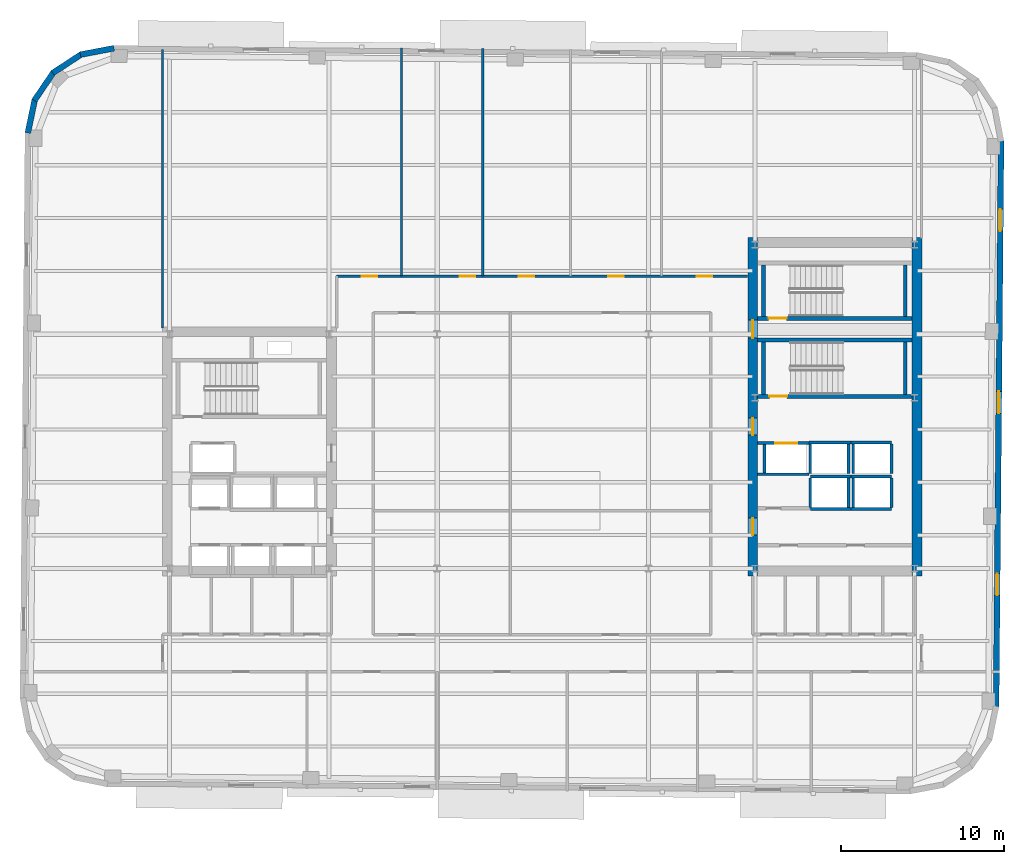
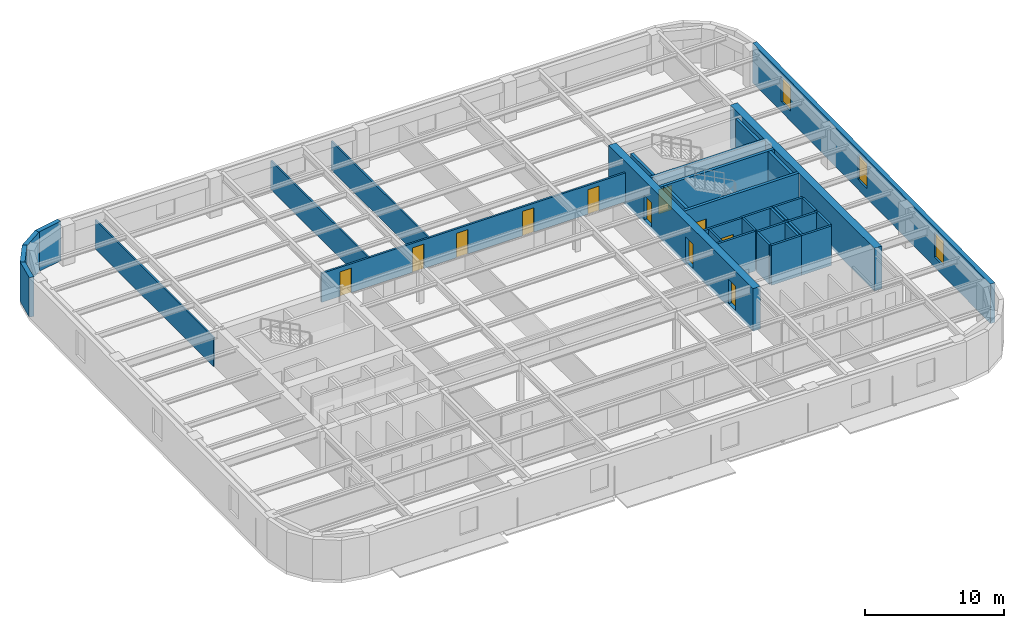
# One storey, part 6 of 11: 35 walls, 11 doors, 3 windows, 14 openings.
"""IFC4 building model written with IfcOpenShell, lengths in metres."""

from ifc_helpers import new_model, si_unit, direction, frame, frame_2d, origin, place, context, subcontext, project, spatial, rectangle, extrude, material, layer, layer_set, type_object, element, fill, save


model = new_model("IFC4")

# Units and contexts
model_context = context("Model", 3, precision=1e-05, world=origin(), true_north=direction((0.0, 1.0)))
body_context = subcontext(model_context, "Body", "Model", "MODEL_VIEW")
ifc_project = project(units=[si_unit("LENGTHUNIT", "METRE"), si_unit("AREAUNIT", "SQUARE_METRE"), si_unit("VOLUMEUNIT", "CUBIC_METRE"), si_unit("PLANEANGLEUNIT", "RADIAN"), si_unit("MASSUNIT", "GRAM", prefix="KILO")], contexts=[model_context])

# Site, building, storey
site_placement = place(None, origin())
site = spatial("IfcSite", under=ifc_project, at=site_placement, CompositionType="ELEMENT")
building_placement = place(site_placement, origin())
building = spatial("IfcBuilding", under=site, at=building_placement, Name="Kolvaren Arena Tower", CompositionType="ELEMENT")
storey_placement = place(building_placement, frame((0.0, 0.0, 162.199951171875)))
storey = spatial("IfcBuildingStorey", under=building, at=storey_placement, Name="L38", CompositionType="ELEMENT", Elevation=162.199951171875)

# Wall, openings, doors
ifc_material_1 = material(Name="Gypsum board acoustic assembly", Category="gypsum")
ifc_layer_1 = layer(ifc_material_1, 0.159912109375)
ifc_layer_set_1 = layer_set([ifc_layer_1], Name="Gypsum board acoustic assembly")
wall_type_1 = type_object("IfcWallType", Name="CORR-160", PredefinedType="PARTITIONING", material=ifc_layer_set_1)
wall_1_placement = place(storey_placement, frame((24.820068359375, 37.419921875, 0.0), z_axis=(0.0, 0.0, 1.0), x_axis=(1.0, 0.0, 0.0)))
wall_1 = element("IfcWall", 1, at=wall_1_placement, inside=storey, type_object=wall_type_1, Name="Interior Partition Wall (L38)", PredefinedType="PARTITIONING", context=body_context, shape_type="SweptSolid", body=[
    extrude(rectangle(XDim=25.260009765625, YDim=0.159912109375, at=frame_2d((12.6298828125, 0.0))), origin(), (0.0, 0.0, 1.0), 2.5400390625),
])
opening_1_placement = place(wall_1_placement, frame((1.530029296875, 0.0, 0.0)))
opening_1 = element("IfcOpeningElement", 2, at=opening_1_placement, cuts=wall_1, Name="Opening D05", PredefinedType="OPENING", context=body_context, shape_type="SweptSolid", body=[
    extrude(rectangle(XDim=0.949951171875, YDim=2.14990234375, at=frame_2d((0.47509765625, 1.074951171875))), frame((0.0, 0.08984375, 0.0), z_axis=(0.0, -1.0, 0.0), x_axis=(1.0, 0.0, 0.0)), (0.0, 0.0, 1.0), 0.179931640625),
])
opening_2_placement = place(wall_1_placement, frame((7.554931640625, 0.0, 0.0)))
opening_2 = element("IfcOpeningElement", 3, at=opening_2_placement, cuts=wall_1, Name="Opening D05", PredefinedType="OPENING", context=body_context, shape_type="SweptSolid", body=[
    extrude(rectangle(XDim=0.949951171875, YDim=2.14990234375, at=frame_2d((0.47509765625, 1.074951171875))), frame((0.0, 0.08984375, 0.0), z_axis=(0.0, -1.0, 0.0), x_axis=(1.0, 0.0, 0.0)), (0.0, 0.0, 1.0), 0.179931640625),
])
opening_3_placement = place(wall_1_placement, frame((11.205078125, 0.0, 0.0)))
opening_3 = element("IfcOpeningElement", 4, at=opening_3_placement, cuts=wall_1, Name="Opening D05", PredefinedType="OPENING", context=body_context, shape_type="SweptSolid", body=[
    extrude(rectangle(XDim=0.949951171875, YDim=2.14990234375, at=frame_2d((0.47509765625, 1.074951171875))), frame((0.0, 0.08984375, 0.0), z_axis=(0.0, -1.0, 0.0), x_axis=(1.0, 0.0, 0.0)), (0.0, 0.0, 1.0), 0.179931640625),
])
opening_4_placement = place(wall_1_placement, frame((16.705078125, 0.0, 0.0)))
opening_4 = element("IfcOpeningElement", 5, at=opening_4_placement, cuts=wall_1, Name="Opening D05", PredefinedType="OPENING", context=body_context, shape_type="SweptSolid", body=[
    extrude(rectangle(XDim=0.949951171875, YDim=2.14990234375, at=frame_2d((0.47509765625, 1.074951171875))), frame((0.0, 0.08984375, 0.0), z_axis=(0.0, -1.0, 0.0), x_axis=(1.0, 0.0, 0.0)), (0.0, 0.0, 1.0), 0.179931640625),
])
opening_5_placement = place(wall_1_placement, frame((22.1298828125, 0.0, 0.0)))
opening_5 = element("IfcOpeningElement", 6, at=opening_5_placement, cuts=wall_1, Name="Opening D05", PredefinedType="OPENING", context=body_context, shape_type="SweptSolid", body=[
    extrude(rectangle(XDim=0.949951171875, YDim=2.14990234375, at=frame_2d((0.47509765625, 1.074951171875))), frame((0.0, 0.08984375, 0.0), z_axis=(0.0, -1.0, 0.0), x_axis=(1.0, 0.0, 0.0)), (0.0, 0.0, 1.0), 0.179931640625),
])
ifc_material_2 = material(Name="Solid-core oak acoustic office door", Category="wood")
door_type_1 = type_object("IfcDoorType", Name="DOOR-OF-095", OperationType="NOTDEFINED", PredefinedType="DOOR", material=ifc_material_2)
door_1_placement = place(opening_1_placement, origin())
door_1 = element("IfcDoor", 7, at=door_1_placement, inside=storey, type_object=door_type_1, Name="Wellness Room Door (L38)", OperationType="SINGLE_SWING_RIGHT", OverallHeight=2.14990234375, OverallWidth=0.949951171875, PredefinedType="DOOR", context=body_context, shape_type="SweptSolid", body=[
    extrude(rectangle(XDim=0.949951171875, YDim=2.14990234375, at=frame_2d((0.47509765625, 1.074951171875))), frame((0.0, 0.02490234375, 0.0), z_axis=(0.0, -1.0, 0.0), x_axis=(1.0, 0.0, 0.0)), (0.0, 0.0, 1.0), 0.050048828125),
])
fill(opening_1, door_1)
door_2_placement = place(opening_2_placement, origin())
door_2 = element("IfcDoor", 8, at=door_2_placement, inside=storey, type_object=door_type_1, Name="Client Lounge Door (L38)", OperationType="SINGLE_SWING_LEFT", OverallHeight=2.14990234375, OverallWidth=0.949951171875, PredefinedType="DOOR", context=body_context, shape_type="SweptSolid", body=[
    extrude(rectangle(XDim=0.949951171875, YDim=2.14990234375, at=frame_2d((0.47509765625, 1.074951171875))), frame((0.0, 0.02490234375, 0.0), z_axis=(0.0, -1.0, 0.0), x_axis=(1.0, 0.0, 0.0)), (0.0, 0.0, 1.0), 0.050048828125),
])
fill(opening_2, door_2)
door_3_placement = place(opening_3_placement, origin())
door_3 = element("IfcDoor", 9, at=door_3_placement, inside=storey, type_object=door_type_1, Name="Executive Office Door (L38)", OperationType="SINGLE_SWING_RIGHT", OverallHeight=2.14990234375, OverallWidth=0.949951171875, PredefinedType="DOOR", context=body_context, shape_type="SweptSolid", body=[
    extrude(rectangle(XDim=0.949951171875, YDim=2.14990234375, at=frame_2d((0.47509765625, 1.074951171875))), frame((0.0, 0.02490234375, 0.0), z_axis=(0.0, -1.0, 0.0), x_axis=(1.0, 0.0, 0.0)), (0.0, 0.0, 1.0), 0.050048828125),
])
fill(opening_3, door_3)
door_4_placement = place(opening_4_placement, origin())
door_4 = element("IfcDoor", 10, at=door_4_placement, inside=storey, type_object=door_type_1, Name="Training Seminar Room Door (L38)", OperationType="SINGLE_SWING_LEFT", OverallHeight=2.14990234375, OverallWidth=0.949951171875, PredefinedType="DOOR", context=body_context, shape_type="SweptSolid", body=[
    extrude(rectangle(XDim=0.949951171875, YDim=2.14990234375, at=frame_2d((0.47509765625, 1.074951171875))), frame((0.0, 0.02490234375, 0.0), z_axis=(0.0, -1.0, 0.0), x_axis=(1.0, 0.0, 0.0)), (0.0, 0.0, 1.0), 0.050048828125),
])
fill(opening_4, door_4)
door_5_placement = place(opening_5_placement, origin())
door_5 = element("IfcDoor", 11, at=door_5_placement, inside=storey, type_object=door_type_1, Name="Boardroom Door (L38)", OperationType="SINGLE_SWING_RIGHT", OverallHeight=2.14990234375, OverallWidth=0.949951171875, PredefinedType="DOOR", context=body_context, shape_type="SweptSolid", body=[
    extrude(rectangle(XDim=0.949951171875, YDim=2.14990234375, at=frame_2d((0.47509765625, 1.074951171875))), frame((0.0, 0.02490234375, 0.0), z_axis=(0.0, -1.0, 0.0), x_axis=(1.0, 0.0, 0.0)), (0.0, 0.0, 1.0), 0.050048828125),
])
fill(opening_5, door_5)

ifc_material_3 = material(Name="Concrete 60 MPa", Category="concrete")
ifc_layer_2 = layer(ifc_material_3, 0.60009765625)
ifc_layer_set_2 = layer_set([ifc_layer_2], Name="Concrete 60 MPa")
wall_type_2 = type_object("IfcWallType", Name="CWALL-600", PredefinedType="SHEAR", material=ifc_layer_set_2)
wall_2_placement = place(storey_placement, frame((50.39990234375, 19.0, -0.27001953125), z_axis=(0.0, 0.0, 1.0), x_axis=(0.0, 1.0, 0.0)))
wall_2 = element("IfcWall", 12, at=wall_2_placement, inside=storey, type_object=wall_type_2, Name="Core Shear Wall EC-WEST (L38)", PredefinedType="SHEAR", context=body_context, shape_type="SweptSolid", body=[
    extrude(rectangle(XDim=20.800048828125, YDim=0.60009765625, at=frame_2d((10.39990234375, 0.0))), origin(), (0.0, 0.0, 1.0), 3.75),
])
opening_6_placement = place(wall_2_placement, frame((2.5, 0.0, 0.27001953125)))
opening_6 = element("IfcOpeningElement", 13, at=opening_6_placement, cuts=wall_2, Name="Opening D04", PredefinedType="OPENING", context=body_context, shape_type="SweptSolid", body=[
    extrude(rectangle(XDim=1.050048828125, YDim=2.14990234375, at=frame_2d((0.52490234375, 1.074951171875))), frame((0.0, 0.31005859375, 0.0), z_axis=(0.0, -1.0, 0.0), x_axis=(1.0, 0.0, 0.0)), (0.0, 0.0, 1.0), 0.6201171875),
])
opening_7_placement = place(wall_2_placement, frame((8.64990234375, 0.0, 0.27001953125)))
opening_7 = element("IfcOpeningElement", 14, at=opening_7_placement, cuts=wall_2, Name="Opening D04", PredefinedType="OPENING", context=body_context, shape_type="SweptSolid", body=[
    extrude(rectangle(XDim=1.050048828125, YDim=2.14990234375, at=frame_2d((0.52490234375, 1.074951171875))), frame((0.0, 0.31005859375, 0.0), z_axis=(0.0, -1.0, 0.0), x_axis=(1.0, 0.0, 0.0)), (0.0, 0.0, 1.0), 0.6201171875),
])
opening_8_placement = place(wall_2_placement, frame((14.6201171875, 0.0, 0.27001953125)))
opening_8 = element("IfcOpeningElement", 15, at=opening_8_placement, cuts=wall_2, Name="Opening D03", PredefinedType="OPENING", context=body_context, shape_type="SweptSolid", body=[
    extrude(rectangle(XDim=1.10009765625, YDim=2.14990234375, at=frame_2d((0.550048828125, 1.074951171875))), frame((0.0, 0.31005859375, 0.0), z_axis=(0.0, -1.0, 0.0), x_axis=(1.0, 0.0, 0.0)), (0.0, 0.0, 1.0), 0.6201171875),
])
ifc_material_4 = material(Name="Fire-rated steel lobby door", Category="steel")
door_type_2 = type_object("IfcDoorType", Name="DOOR-FF-105", OperationType="NOTDEFINED", PredefinedType="DOOR", material=ifc_material_4)
door_6_placement = place(opening_6_placement, origin())
door_6 = element("IfcDoor", 16, at=door_6_placement, inside=storey, type_object=door_type_2, Name="East Lift Lobby Fire Door (L38)", OperationType="SINGLE_SWING_RIGHT", OverallHeight=2.14990234375, OverallWidth=1.050048828125, PredefinedType="DOOR", context=body_context, shape_type="SweptSolid", body=[
    extrude(rectangle(XDim=1.050048828125, YDim=2.14990234375, at=frame_2d((0.52490234375, 1.074951171875))), frame((0.0, 0.02490234375, 0.0), z_axis=(0.0, -1.0, 0.0), x_axis=(1.0, 0.0, 0.0)), (0.0, 0.0, 1.0), 0.050048828125),
])
fill(opening_6, door_6)
door_7_placement = place(opening_7_placement, origin())
door_7 = element("IfcDoor", 17, at=door_7_placement, inside=storey, type_object=door_type_2, Name="East Firefighter Vestibule Door (L38)", OperationType="SINGLE_SWING_LEFT", OverallHeight=2.14990234375, OverallWidth=1.050048828125, PredefinedType="DOOR", context=body_context, shape_type="SweptSolid", body=[
    extrude(rectangle(XDim=1.050048828125, YDim=2.14990234375, at=frame_2d((0.52490234375, 1.074951171875))), frame((0.0, 0.02490234375, 0.0), z_axis=(0.0, -1.0, 0.0), x_axis=(1.0, 0.0, 0.0)), (0.0, 0.0, 1.0), 0.050048828125),
])
fill(opening_7, door_7)
ifc_material_5 = material(Name="Fire-rated steel exit stair door", Category="steel")
door_type_3 = type_object("IfcDoorType", Name="DOOR-ST-110", OperationType="NOTDEFINED", PredefinedType="DOOR", material=ifc_material_5)
door_8_placement = place(opening_8_placement, origin())
door_8 = element("IfcDoor", 18, at=door_8_placement, inside=storey, type_object=door_type_3, Name="Stair ST-E2 Vestibule Fire Door (L38)", OperationType="SINGLE_SWING_LEFT", OverallHeight=2.14990234375, OverallWidth=1.10009765625, PredefinedType="DOOR", context=body_context, shape_type="SweptSolid", body=[
    extrude(rectangle(XDim=1.10009765625, YDim=2.14990234375, at=frame_2d((0.550048828125, 1.074951171875))), frame((0.0, 0.02490234375, 0.0), z_axis=(0.0, -1.0, 0.0), x_axis=(1.0, 0.0, 0.0)), (0.0, 0.0, 1.0), 0.050048828125),
])
fill(opening_8, door_8)

# Wall
wall_3_placement = place(storey_placement, frame((60.5, 19.0, -0.27001953125), z_axis=(0.0, 0.0, 1.0), x_axis=(0.0, 1.0, 0.0)))
element("IfcWall", 19, at=wall_3_placement, inside=storey, type_object=wall_type_2, Name="Core Shear Wall EC-EAST (L38)", PredefinedType="SHEAR", context=body_context, shape_type="SweptSolid", body=[
    extrude(rectangle(XDim=20.800048828125, YDim=0.60009765625, at=frame_2d((10.39990234375, 0.0))), origin(), (0.0, 0.0, 1.0), 3.75),
])

# Wall, openings, windows
ifc_material_6 = material(Name="Precast concrete C50/60", Category="concrete")
ifc_layer_3 = layer(ifc_material_6, 0.360107421875)
ifc_layer_set_3 = layer_set([ifc_layer_3], Name="Precast concrete C50/60")
wall_type_3 = type_object("IfcWallType", Name="EXT-PIER2", PredefinedType="SOLIDWALL", material=ifc_layer_set_3)
wall_4_placement = place(storey_placement, frame((65.670654296875, 45.73828125, 0.0), z_axis=(0.0, 0.0, 1.0), x_axis=(-0.008727348535, -0.999961915969, 0.0)))
wall_4 = element("IfcWall", 20, at=wall_4_placement, inside=storey, type_object=wall_type_3, Name="Exterior Precast Masonry-Frame Wall (L38)", PredefinedType="SOLIDWALL", context=body_context, shape_type="SweptSolid", body=[
    extrude(rectangle(XDim=34.7998046875, YDim=0.360107421875, at=frame_2d((17.39990234375, 0.0))), origin(), (0.0, 0.0, 1.0), 3.47998046875),
])
opening_9_placement = place(wall_4_placement, frame((4.199951171875, 0.0, 0.8798828125)))
opening_9 = element("IfcOpeningElement", 21, at=opening_9_placement, cuts=wall_4, Name="Opening W04", PredefinedType="OPENING", context=body_context, shape_type="SweptSolid", body=[
    extrude(rectangle(XDim=1.35009765625, YDim=2.199951171875, at=frame_2d((0.675048828125, 1.10009765625))), frame((0.0, 0.18994140625, 0.0), z_axis=(0.0, -1.0, 0.0), x_axis=(1.0, 0.0, 0.0)), (0.0, 0.0, 1.0), 0.380126953125),
])
opening_10_placement = place(wall_4_placement, frame((15.39990234375, 0.0, 0.8798828125)))
opening_10 = element("IfcOpeningElement", 22, at=opening_10_placement, cuts=wall_4, Name="Opening W04", PredefinedType="OPENING", context=body_context, shape_type="SweptSolid", body=[
    extrude(rectangle(XDim=1.35009765625, YDim=2.199951171875, at=frame_2d((0.675048828125, 1.10009765625))), frame((0.0, 0.18994140625, 0.0), z_axis=(0.0, -1.0, 0.0), x_axis=(1.0, 0.0, 0.0)), (0.0, 0.0, 1.0), 0.380126953125),
])
opening_11_placement = place(wall_4_placement, frame((26.60009765625, 0.0, 0.8798828125)))
opening_11 = element("IfcOpeningElement", 23, at=opening_11_placement, cuts=wall_4, Name="Opening W04", PredefinedType="OPENING", context=body_context, shape_type="SweptSolid", body=[
    extrude(rectangle(XDim=1.35009765625, YDim=2.199951171875, at=frame_2d((0.675048828125, 1.10009765625))), frame((0.0, 0.18994140625, 0.0), z_axis=(0.0, -1.0, 0.0), x_axis=(1.0, 0.0, 0.0)), (0.0, 0.0, 1.0), 0.380126953125),
])
ifc_material_7 = material(Name="Triple-glazed curved-facet corner window", Category="glass")
window_type = type_object("IfcWindowType", Name="WIN-CRN-A", PartitioningType="SINGLE_PANEL", PredefinedType="WINDOW", material=ifc_material_7)
window_1_placement = place(opening_9_placement, origin())
window_1 = element("IfcWindow", 24, at=window_1_placement, inside=storey, type_object=window_type, Name="End-Wall Punched Window (L38)", OverallHeight=2.199951171875, OverallWidth=1.35009765625, PartitioningType="SINGLE_PANEL", PredefinedType="WINDOW", context=body_context, shape_type="SweptSolid", body=[
    extrude(rectangle(XDim=1.35009765625, YDim=2.199951171875, at=frame_2d((0.675048828125, 1.10009765625))), frame((0.0, 0.030029296875, 0.0), z_axis=(0.0, -1.0, 0.0), x_axis=(1.0, 0.0, 0.0)), (0.0, 0.0, 1.0), 0.06005859375),
])
fill(opening_9, window_1)
window_2_placement = place(opening_10_placement, origin())
window_2 = element("IfcWindow", 25, at=window_2_placement, inside=storey, type_object=window_type, Name="End-Wall Punched Window (L38)", OverallHeight=2.199951171875, OverallWidth=1.35009765625, PartitioningType="SINGLE_PANEL", PredefinedType="WINDOW", context=body_context, shape_type="SweptSolid", body=[
    extrude(rectangle(XDim=1.35009765625, YDim=2.199951171875, at=frame_2d((0.675048828125, 1.10009765625))), frame((0.0, 0.030029296875, 0.0), z_axis=(0.0, -1.0, 0.0), x_axis=(1.0, 0.0, 0.0)), (0.0, 0.0, 1.0), 0.06005859375),
])
fill(opening_10, window_2)
window_3_placement = place(opening_11_placement, origin())
window_3 = element("IfcWindow", 26, at=window_3_placement, inside=storey, type_object=window_type, Name="End-Wall Punched Window (L38)", OverallHeight=2.199951171875, OverallWidth=1.35009765625, PartitioningType="SINGLE_PANEL", PredefinedType="WINDOW", context=body_context, shape_type="SweptSolid", body=[
    extrude(rectangle(XDim=1.35009765625, YDim=2.199951171875, at=frame_2d((0.675048828125, 1.10009765625))), frame((0.0, 0.030029296875, 0.0), z_axis=(0.0, -1.0, 0.0), x_axis=(1.0, 0.0, 0.0)), (0.0, 0.0, 1.0), 0.06005859375),
])
fill(opening_11, window_3)

# Walls
wall_5_placement = place(storey_placement, frame((9.0634765625, 51.044921875, 0.0), z_axis=(0.0, 0.0, 1.0), x_axis=(0.982445905584, 0.186547695246, 0.0)))
element("IfcWall", 27, at=wall_5_placement, inside=storey, type_object=wall_type_3, Name="Exterior Precast Masonry-Frame Wall (L38)", PredefinedType="SOLIDWALL", context=body_context, shape_type="SweptSolid", body=[
    extrude(rectangle(XDim=2.107177734375, YDim=0.360107421875, at=frame_2d((1.0537109375, 0.0))), origin(), (0.0, 0.0, 1.0), 3.47998046875),
])
for number, where, z_axis, x_axis, name in (
    (28, (7.36669921875, 49.916015625, 0.0), (0.0, 0.0, 1.0), (0.836268756678, 0.548319766745, 0.0), "Exterior Precast Masonry-Frame Wall (L38)"),
    (29, (6.23095703125, 48.223388671875, 0.0), (0.0, 0.0, 1.0), (0.56277581689, 0.826609569219, 0.0), "Exterior Precast Masonry-Frame Wall (L38)"),
    (30, (5.8291015625, 46.225341796875, 0.0), (0.0, 0.0, 1.0), (0.203709000552, 0.979031482177, 0.0), "Exterior Precast Masonry-Frame Wall (L38)"),
):
    element("IfcWall", number, at=place(storey_placement, frame(where, z_axis=z_axis, x_axis=x_axis)), inside=storey, type_object=wall_type_3, Name=name, PredefinedType="SOLIDWALL", context=body_context, shape_type="SweptSolid", body=[
        extrude(rectangle(XDim=2.10693359375, YDim=0.360107421875, at=frame_2d((1.053466796875, 0.0))), origin(), (0.0, 0.0, 1.0), 3.47998046875),
    ])
ifc_material_8 = material(Name="Gypsum board partition assembly", Category="gypsum")
ifc_layer_4 = layer(ifc_material_8, 0.135009765625)
ifc_layer_set_4 = layer_set([ifc_layer_4], Name="Gypsum board partition assembly")
wall_type_4 = type_object("IfcWallType", Name="PART-135", PredefinedType="PARTITIONING", material=ifc_layer_set_4)
wall_6_placement = place(storey_placement, frame((28.800048828125, 37.419921875, 0.0), z_axis=(0.0, 0.0, 1.0), x_axis=(0.0, 1.0, 0.0)))
element("IfcWall", 31, at=wall_6_placement, inside=storey, type_object=wall_type_4, Name="Interior Partition Wall (L38)", PredefinedType="PARTITIONING", context=body_context, shape_type="SweptSolid", body=[
    extrude(rectangle(XDim=14.040283203125, YDim=0.135009765625, at=frame_2d((7.02001953125, 0.0))), origin(), (0.0, 0.0, 1.0), 2.5400390625),
])
wall_7_placement = place(storey_placement, frame((33.800048828125, 37.419921875, 0.0), z_axis=(0.0, 0.0, 1.0), x_axis=(0.0, 1.0, 0.0)))
element("IfcWall", 32, at=wall_7_placement, inside=storey, type_object=wall_type_4, Name="Interior Partition Wall (L38)", PredefinedType="PARTITIONING", context=body_context, shape_type="SweptSolid", body=[
    extrude(rectangle(XDim=13.99658203125, YDim=0.135009765625, at=frame_2d((6.998291015625, 0.0))), origin(), (0.0, 0.0, 1.0), 2.5400390625),
])
wall_8_placement = place(storey_placement, frame((14.1201171875, 34.25, 0.0), z_axis=(0.0, 0.0, 1.0), x_axis=(0.0, 1.0, 0.0)))
element("IfcWall", 33, at=wall_8_placement, inside=storey, type_object=wall_type_4, Name="Interior Partition Wall (L38)", PredefinedType="PARTITIONING", context=body_context, shape_type="SweptSolid", body=[
    extrude(rectangle(XDim=17.098388671875, YDim=0.135009765625, at=frame_2d((8.54931640625, 0.0))), origin(), (0.0, 0.0, 1.0), 2.5400390625),
])

# Wall, opening, door
ifc_material_9 = material(Name="Concrete 45 MPa", Category="concrete")
ifc_layer_5 = layer(ifc_material_9, 0.25)
ifc_layer_set_5 = layer_set([ifc_layer_5], Name="Concrete 45 MPa")
wall_type_5 = type_object("IfcWallType", Name="SHAFT-250", PredefinedType="SOLIDWALL", material=ifc_layer_set_5)
wall_9_placement = place(storey_placement, frame((60.199951171875, 30.030029296875, 0.0), z_axis=(0.0, 0.0, 1.0), x_axis=(-1.0, 0.0, 0.0)))
wall_9 = element("IfcWall", 34, at=wall_9_placement, inside=storey, type_object=wall_type_5, Name="Core Shaft Wall (L38)", PredefinedType="SOLIDWALL", context=body_context, shape_type="SweptSolid", body=[
    extrude(rectangle(XDim=9.5, YDim=0.239990234375, at=frame_2d((4.75, 0.0))), origin(), (0.0, 0.0, 1.0), 3.47998046875),
])
opening_12_placement = place(wall_9_placement, frame((7.679931640625, 0.0, 0.0)))
opening_12 = element("IfcOpeningElement", 35, at=opening_12_placement, cuts=wall_9, Name="Opening D03", PredefinedType="OPENING", context=body_context, shape_type="SweptSolid", body=[
    extrude(rectangle(XDim=1.10009765625, YDim=2.14990234375, at=frame_2d((0.550048828125, 1.074951171875))), frame((0.0, 0.1298828125, 0.0), z_axis=(0.0, -1.0, 0.0), x_axis=(1.0, 0.0, 0.0)), (0.0, 0.0, 1.0), 0.260009765625),
])
door_9_placement = place(opening_12_placement, origin())
door_9 = element("IfcDoor", 36, at=door_9_placement, inside=storey, type_object=door_type_3, Name="Stair ST-E1 Fire Door (L38)", OperationType="SINGLE_SWING_LEFT", OverallHeight=2.14990234375, OverallWidth=1.10009765625, PredefinedType="DOOR", context=body_context, shape_type="SweptSolid", body=[
    extrude(rectangle(XDim=1.10009765625, YDim=2.14990234375, at=frame_2d((0.550048828125, 1.074951171875))), frame((0.0, 0.02490234375, 0.0), z_axis=(0.0, -1.0, 0.0), x_axis=(1.0, 0.0, 0.0)), (0.0, 0.0, 1.0), 0.050048828125),
])
fill(opening_12, door_9)

# Walls
wall_10_placement = place(storey_placement, frame((50.699951171875, 33.5, 0.0), z_axis=(0.0, 0.0, 1.0), x_axis=(1.0, 0.0, 0.0)))
element("IfcWall", 37, at=wall_10_placement, inside=storey, type_object=wall_type_5, Name="Core Shaft Wall (L38)", PredefinedType="SOLIDWALL", context=body_context, shape_type="SweptSolid", body=[
    extrude(rectangle(XDim=9.5, YDim=0.239990234375, at=frame_2d((4.75, 0.0))), origin(), (0.0, 0.0, 1.0), 3.47998046875),
])
for number, where, z_axis, x_axis, name in (
    (38, (51.06005859375, 30.14990234375, 0.0), (0.0, 0.0, 1.0), (0.0, 1.0, 0.0), "Core Shaft Wall (L38)"),
    (39, (59.780029296875, 30.14990234375, 0.0), (0.0, 0.0, 1.0), (0.0, 1.0, 0.0), "Core Shaft Wall (L38)"),
):
    element("IfcWall", number, at=place(storey_placement, frame(where, z_axis=z_axis, x_axis=x_axis)), inside=storey, type_object=wall_type_5, Name=name, PredefinedType="SOLIDWALL", context=body_context, shape_type="SweptSolid", body=[
        extrude(rectangle(XDim=3.22998046875, YDim=0.239990234375, at=frame_2d((1.614990234375, 0.0))), origin(), (0.0, 0.0, 1.0), 3.47998046875),
    ])

# Wall, opening, door
wall_11_placement = place(storey_placement, frame((60.199951171875, 34.830078125, 0.0), z_axis=(0.0, 0.0, 1.0), x_axis=(-1.0, 0.0, 0.0)))
wall_11 = element("IfcWall", 40, at=wall_11_placement, inside=storey, type_object=wall_type_5, Name="Core Shaft Wall (L38)", PredefinedType="SOLIDWALL", context=body_context, shape_type="SweptSolid", body=[
    extrude(rectangle(XDim=9.5, YDim=0.239990234375, at=frame_2d((4.75, 0.0))), origin(), (0.0, 0.0, 1.0), 3.47998046875),
])
opening_13_placement = place(wall_11_placement, frame((7.719970703125, 0.0, 0.0)))
opening_13 = element("IfcOpeningElement", 41, at=opening_13_placement, cuts=wall_11, Name="Opening D03", PredefinedType="OPENING", context=body_context, shape_type="SweptSolid", body=[
    extrude(rectangle(XDim=1.10009765625, YDim=2.14990234375, at=frame_2d((0.550048828125, 1.074951171875))), frame((0.0, 0.1298828125, 0.0), z_axis=(0.0, -1.0, 0.0), x_axis=(1.0, 0.0, 0.0)), (0.0, 0.0, 1.0), 0.260009765625),
])
door_10_placement = place(opening_13_placement, origin())
door_10 = element("IfcDoor", 42, at=door_10_placement, inside=storey, type_object=door_type_3, Name="Stair ST-E2 Fire Door (L38)", OperationType="SINGLE_SWING_LEFT", OverallHeight=2.14990234375, OverallWidth=1.10009765625, PredefinedType="DOOR", context=body_context, shape_type="SweptSolid", body=[
    extrude(rectangle(XDim=1.10009765625, YDim=2.14990234375, at=frame_2d((0.550048828125, 1.074951171875))), frame((0.0, 0.02490234375, 0.0), z_axis=(0.0, -1.0, 0.0), x_axis=(1.0, 0.0, 0.0)), (0.0, 0.0, 1.0), 0.050048828125),
])
fill(opening_13, door_10)

# Walls
for number, where, z_axis, x_axis, name in (
    (43, (51.06005859375, 34.949951171875, 0.0), (0.0, 0.0, 1.0), (0.0, 1.0, 0.0), "Core Shaft Wall (L38)"),
    (44, (59.780029296875, 34.949951171875, 0.0), (0.0, 0.0, 1.0), (0.0, 1.0, 0.0), "Core Shaft Wall (L38)"),
):
    element("IfcWall", number, at=place(storey_placement, frame(where, z_axis=z_axis, x_axis=x_axis)), inside=storey, type_object=wall_type_5, Name=name, PredefinedType="SOLIDWALL", context=body_context, shape_type="SweptSolid", body=[
        extrude(rectangle(XDim=3.150146484375, YDim=0.239990234375, at=frame_2d((1.5751953125, 0.0))), origin(), (0.0, 0.0, 1.0), 3.47998046875),
    ])
for number, where, z_axis, x_axis, name in (
    (45, (53.93994140625, 25.10498046875, 0.0), (0.0, 0.0, 1.0), (1.0, 0.0, 0.0), "Core Shaft Wall (L38)"),
    (46, (53.93994140625, 23.094970703125, 0.0), (0.0, 0.0, 1.0), (1.0, 0.0, 0.0), "Core Shaft Wall (L38)"),
):
    element("IfcWall", number, at=place(storey_placement, frame(where, z_axis=z_axis, x_axis=x_axis)), inside=storey, type_object=wall_type_5, Name=name, PredefinedType="SOLIDWALL", context=body_context, shape_type="SweptSolid", body=[
        extrude(rectangle(XDim=2.5, YDim=0.179931640625, at=frame_2d((1.25, 0.0))), origin(), (0.0, 0.0, 1.0), 3.47998046875),
    ])
for number, where, z_axis, x_axis, name in (
    (47, (53.93994140625, 23.18505859375, 0.0), (0.0, 0.0, 1.0), (0.0, 1.0, 0.0), "Core Shaft Wall (L38)"),
    (48, (56.300048828125, 23.18505859375, 0.0), (0.0, 0.0, 1.0), (0.0, 1.0, 0.0), "Core Shaft Wall (L38)"),
):
    element("IfcWall", number, at=place(storey_placement, frame(where, z_axis=z_axis, x_axis=x_axis)), inside=storey, type_object=wall_type_5, Name=name, PredefinedType="SOLIDWALL", context=body_context, shape_type="SweptSolid", body=[
        extrude(rectangle(XDim=1.829833984375, YDim=0.179931640625, at=frame_2d((0.9150390625, 0.0))), origin(), (0.0, 0.0, 1.0), 3.47998046875),
    ])
for number, where, z_axis, x_axis, name in (
    (49, (56.43994140625, 25.10498046875, 0.0), (0.0, 0.0, 1.0), (1.0, 0.0, 0.0), "Core Shaft Wall (L38)"),
    (50, (56.43994140625, 23.094970703125, 0.0), (0.0, 0.0, 1.0), (1.0, 0.0, 0.0), "Core Shaft Wall (L38)"),
):
    element("IfcWall", number, at=place(storey_placement, frame(where, z_axis=z_axis, x_axis=x_axis)), inside=storey, type_object=wall_type_5, Name=name, PredefinedType="SOLIDWALL", context=body_context, shape_type="SweptSolid", body=[
        extrude(rectangle(XDim=2.5, YDim=0.179931640625, at=frame_2d((1.25, 0.0))), origin(), (0.0, 0.0, 1.0), 3.47998046875),
    ])
for number, where, z_axis, x_axis, name in (
    (51, (56.580078125, 23.18505859375, 0.0), (0.0, 0.0, 1.0), (0.0, 1.0, 0.0), "Core Shaft Wall (L38)"),
    (52, (58.93994140625, 23.18505859375, 0.0), (0.0, 0.0, 1.0), (0.0, 1.0, 0.0), "Core Shaft Wall (L38)"),
):
    element("IfcWall", number, at=place(storey_placement, frame(where, z_axis=z_axis, x_axis=x_axis)), inside=storey, type_object=wall_type_5, Name=name, PredefinedType="SOLIDWALL", context=body_context, shape_type="SweptSolid", body=[
        extrude(rectangle(XDim=1.829833984375, YDim=0.179931640625, at=frame_2d((0.9150390625, 0.0))), origin(), (0.0, 0.0, 1.0), 3.47998046875),
    ])
wall_12_placement = place(storey_placement, frame((53.864990234375, 27.205078125, 0.0), z_axis=(0.0, 0.0, 1.0), x_axis=(1.0, 0.0, 0.0)))
element("IfcWall", 53, at=wall_12_placement, inside=storey, type_object=wall_type_5, Name="Core Shaft Wall (L38)", PredefinedType="SOLIDWALL", context=body_context, shape_type="SweptSolid", body=[
    extrude(rectangle(XDim=2.574951171875, YDim=0.179931640625, at=frame_2d((1.28759765625, 0.0))), origin(), (0.0, 0.0, 1.0), 3.47998046875),
])
for number, where, z_axis, x_axis, name in (
    (54, (53.93994140625, 25.284912109375, 0.0), (0.0, 0.0, 1.0), (0.0, 1.0, 0.0), "Core Shaft Wall (L38)"),
    (55, (56.300048828125, 25.284912109375, 0.0), (0.0, 0.0, 1.0), (0.0, 1.0, 0.0), "Core Shaft Wall (L38)"),
):
    element("IfcWall", number, at=place(storey_placement, frame(where, z_axis=z_axis, x_axis=x_axis)), inside=storey, type_object=wall_type_5, Name=name, PredefinedType="SOLIDWALL", context=body_context, shape_type="SweptSolid", body=[
        extrude(rectangle(XDim=1.830078125, YDim=0.179931640625, at=frame_2d((0.9150390625, 0.0))), origin(), (0.0, 0.0, 1.0), 3.47998046875),
    ])
wall_13_placement = place(storey_placement, frame((56.43994140625, 27.205078125, 0.0), z_axis=(0.0, 0.0, 1.0), x_axis=(1.0, 0.0, 0.0)))
element("IfcWall", 56, at=wall_13_placement, inside=storey, type_object=wall_type_5, Name="Core Shaft Wall (L38)", PredefinedType="SOLIDWALL", context=body_context, shape_type="SweptSolid", body=[
    extrude(rectangle(XDim=2.5, YDim=0.179931640625, at=frame_2d((1.25, 0.0))), origin(), (0.0, 0.0, 1.0), 3.47998046875),
])
for number, where, z_axis, x_axis, name in (
    (57, (56.580078125, 25.284912109375, 0.0), (0.0, 0.0, 1.0), (0.0, 1.0, 0.0), "Core Shaft Wall (L38)"),
    (58, (58.93994140625, 25.284912109375, 0.0), (0.0, 0.0, 1.0), (0.0, 1.0, 0.0), "Core Shaft Wall (L38)"),
):
    element("IfcWall", number, at=place(storey_placement, frame(where, z_axis=z_axis, x_axis=x_axis)), inside=storey, type_object=wall_type_5, Name=name, PredefinedType="SOLIDWALL", context=body_context, shape_type="SweptSolid", body=[
        extrude(rectangle(XDim=1.830078125, YDim=0.179931640625, at=frame_2d((0.9150390625, 0.0))), origin(), (0.0, 0.0, 1.0), 3.47998046875),
    ])

# Wall, opening, door
wall_14_placement = place(storey_placement, frame((50.699951171875, 27.155029296875, 0.0), z_axis=(0.0, 0.0, 1.0), x_axis=(1.0, 0.0, 0.0)))
wall_14 = element("IfcWall", 59, at=wall_14_placement, inside=storey, type_object=wall_type_5, Name="Core Shaft Wall (L38)", PredefinedType="SOLIDWALL", context=body_context, shape_type="SweptSolid", body=[
    extrude(rectangle(XDim=3.1650390625, YDim=0.179931640625, at=frame_2d((1.58251953125, 0.0))), origin(), (0.0, 0.0, 1.0), 3.47998046875),
])
opening_14_placement = place(wall_14_placement, frame((1.0849609375, 0.0, 0.0)))
opening_14 = element("IfcOpeningElement", 60, at=opening_14_placement, cuts=wall_14, Name="Opening LD2", PredefinedType="OPENING", context=body_context, shape_type="SweptSolid", body=[
    extrude(rectangle(XDim=1.35009765625, YDim=2.300048828125, at=frame_2d((0.675048828125, 1.14990234375))), frame((0.0, 0.099853515625, 0.0), z_axis=(0.0, -1.0, 0.0), x_axis=(1.0, 0.0, 0.0)), (0.0, 0.0, 1.0), 0.199951171875),
])
ifc_material_10 = material(Name="Stainless steel firefighter lift landing door", Category="steel")
door_type_4 = type_object("IfcDoorType", Name="DOOR-LD-135", OperationType="DOUBLE_DOOR_SLIDING", PredefinedType="DOOR", material=ifc_material_10)
door_11_placement = place(opening_14_placement, origin())
door_11 = element("IfcDoor", 61, at=door_11_placement, inside=storey, type_object=door_type_4, Name="Firefighter Lift FF-E1 Landing Door (L38)", OperationType="DOUBLE_DOOR_SLIDING", OverallHeight=2.300048828125, OverallWidth=1.35009765625, PredefinedType="DOOR", context=body_context, shape_type="SweptSolid", body=[
    extrude(rectangle(XDim=1.35009765625, YDim=2.300048828125, at=frame_2d((0.675048828125, 1.14990234375))), frame((0.0, 0.02490234375, 0.0), z_axis=(0.0, -1.0, 0.0), x_axis=(1.0, 0.0, 0.0)), (0.0, 0.0, 1.0), 0.050048828125),
])
fill(opening_14, door_11)

# Walls
wall_15_placement = place(storey_placement, frame((50.699951171875, 25.2451171875, 0.0), z_axis=(0.0, 0.0, 1.0), x_axis=(1.0, 0.0, 0.0)))
element("IfcWall", 62, at=wall_15_placement, inside=storey, type_object=wall_type_5, Name="Core Shaft Wall (L38)", PredefinedType="SOLIDWALL", context=body_context, shape_type="SweptSolid", body=[
    extrude(rectangle(XDim=3.1650390625, YDim=0.179931640625, at=frame_2d((1.58251953125, 0.0))), origin(), (0.0, 0.0, 1.0), 3.47998046875),
])
wall_16_placement = place(storey_placement, frame((51.1298828125, 25.3349609375, 0.0), z_axis=(0.0, 0.0, 1.0), x_axis=(0.0, 1.0, 0.0)))
element("IfcWall", 63, at=wall_16_placement, inside=storey, type_object=wall_type_5, Name="Core Shaft Wall (L38)", PredefinedType="SOLIDWALL", context=body_context, shape_type="SweptSolid", body=[
    extrude(rectangle(XDim=1.72998046875, YDim=0.179931640625, at=frame_2d((0.864990234375, 0.0))), origin(), (0.0, 0.0, 1.0), 3.47998046875),
])

save(model, "model.ifc")
